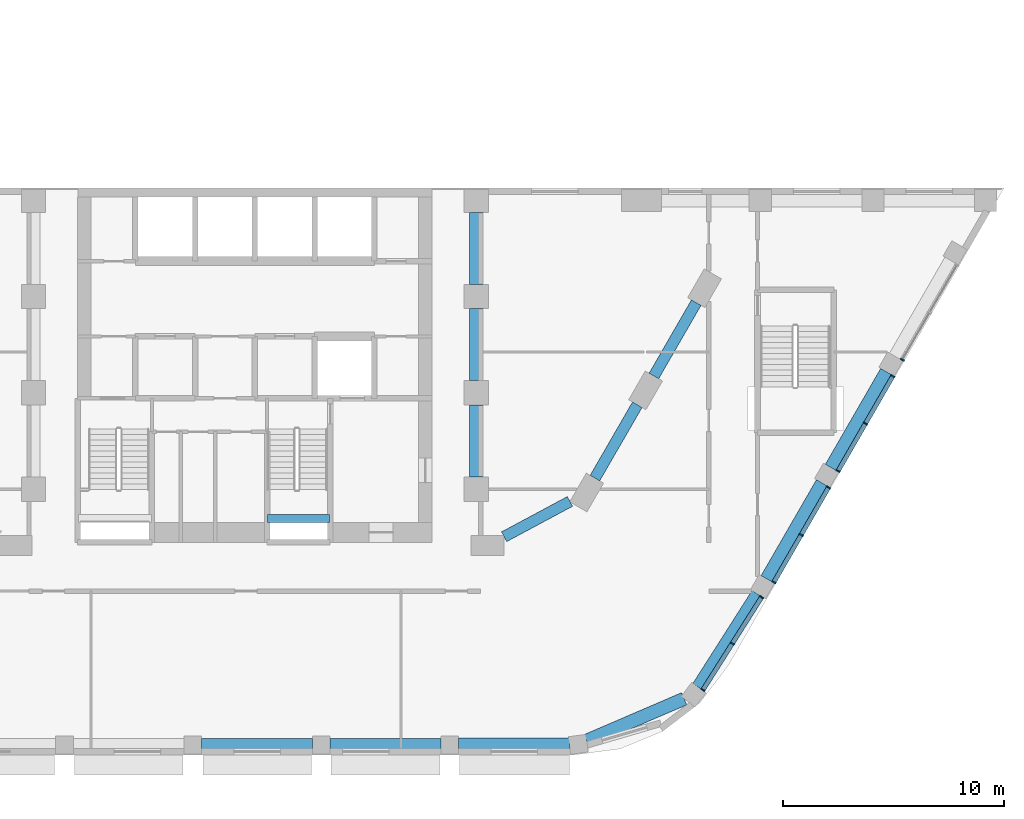
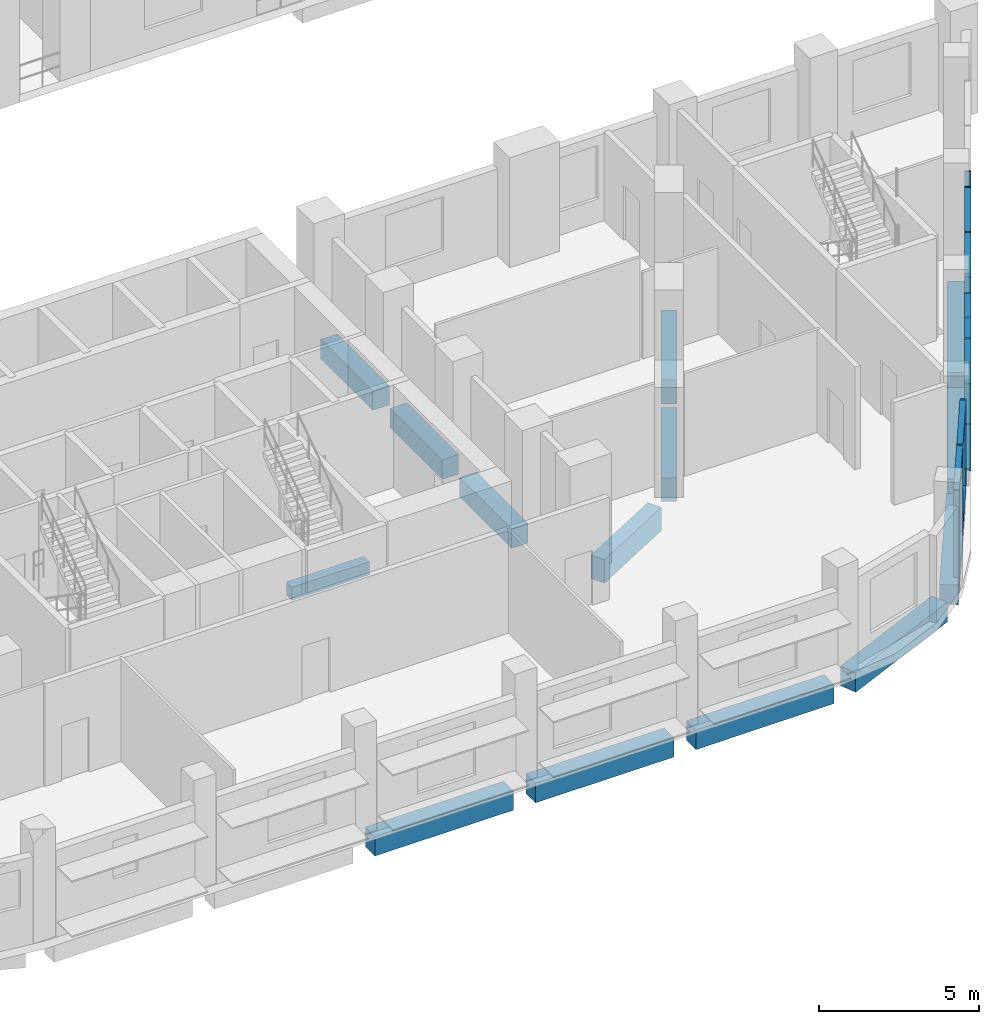
# One storey, part 3 of 22: 22 members, 14 beams, 4 elements without a shape of their own.
"""IFC4 building model written with IfcOpenShell, lengths in metres."""

from ifc_helpers import new_model, si_unit, direction, frame, origin, origin_2d, place, context, subcontext, project, spatial, rectangle, extrude, material, layer, layer_set, material_profile, profile_set, type_object, element, aggregate, save


model = new_model("IFC4")

# Units and contexts
model_context = context("Model", 3, precision=1e-05, world=origin(), true_north=direction((0.0, 1.0)))
body_context = subcontext(model_context, "Body", "Model", "MODEL_VIEW")
ifc_project = project(units=[si_unit("LENGTHUNIT", "METRE"), si_unit("AREAUNIT", "SQUARE_METRE"), si_unit("VOLUMEUNIT", "CUBIC_METRE"), si_unit("PLANEANGLEUNIT", "RADIAN"), si_unit("MASSUNIT", "GRAM", prefix="KILO")], contexts=[model_context])

# Site, building, storey
site_placement = place(None, origin())
site = spatial("IfcSite", under=ifc_project, at=site_placement, CompositionType="ELEMENT")
building_placement = place(site_placement, origin())
building = spatial("IfcBuilding", under=site, at=building_placement, Name="Nakaniwa Court", CompositionType="ELEMENT")
storey_placement = place(building_placement, frame((0.0, 0.0, 24.0)))
storey = spatial("IfcBuildingStorey", under=building, at=storey_placement, Name="L05", CompositionType="ELEMENT", Elevation=24.0)

# Beams
ifc_material_1 = material(Name="Concrete C100/115", Category="concrete")
ifc_material_profile_1 = material_profile(ifc_material_1, rectangle(XDim=0.5, YDim=0.89990234375, at=origin_2d()), Name="Concrete C100/115 RC 500x900 spandrel beam")
ifc_profile_set_1 = profile_set([ifc_material_profile_1], Name="Concrete C100/115")
beam_type_1 = type_object("IfcBeamType", Name="Concrete C100/115 RC 500x900 spandrel beam", PredefinedType="BEAM", material=ifc_profile_set_1)
beam_1_placement = place(storey_placement, frame((91.257080078125, 56.852294921875, -0.75), z_axis=(0.881234537383, 0.472679267711, 0.0), x_axis=(-0.472679267711, 0.881234537383, 0.0)))
element("IfcBeam", 1, at=beam_1_placement, inside=storey, type_object=beam_type_1, Name="SPANDREL BEAM", PredefinedType="BEAM", context=body_context, shape_type="SweptSolid", body=[
    extrude(rectangle(XDim=0.5, YDim=0.89990234375, at=origin_2d()), origin(), (0.0, 0.0, 1.0), 3.373291015625),
])
beam_2_placement = place(storey_placement, frame((95.357421875, 59.5, -0.75), z_axis=(0.500009674092, 0.866019818373, 0.0), x_axis=(-0.866019818373, 0.500009674092, 0.0)))
element("IfcBeam", 2, at=beam_2_placement, inside=storey, type_object=beam_type_1, Name="SPANDREL BEAM", PredefinedType="BEAM", context=body_context, shape_type="SweptSolid", body=[
    extrude(rectangle(XDim=0.5, YDim=0.89990234375, at=origin_2d()), origin(), (0.0, 0.0, 1.0), 3.826171875),
])
beam_3_placement = place(storey_placement, frame((98.0205078125, 64.1123046875, -0.75), z_axis=(0.499961815444, 0.866047448526, 0.0), x_axis=(-0.866047448526, 0.499961815444, 0.0)))
element("IfcBeam", 3, at=beam_3_placement, inside=storey, type_object=beam_type_1, Name="SPANDREL BEAM", PredefinedType="BEAM", context=body_context, shape_type="SweptSolid", body=[
    extrude(rectangle(XDim=0.5, YDim=0.89990234375, at=origin_2d()), origin(), (0.0, 0.0, 1.0), 3.825927734375),
])
ifc_material_profile_2 = material_profile(ifc_material_1, rectangle(XDim=0.60009765625, YDim=0.75, at=origin_2d()), Name="Concrete C100/115 RC 600x750 ring beam")
ifc_profile_set_2 = profile_set([ifc_material_profile_2], Name="Concrete C100/115")
beam_type_2 = type_object("IfcBeamType", Name="Concrete C100/115 RC 600x750 ring beam", PredefinedType="BEAM", material=ifc_profile_set_2)
for number, where, z_axis, x_axis, name in (
    (4, (90.0, 59.550048828125, -0.675048828125), (0.0, 1.0, 0.0), (-1.0, 0.0, 0.0), "RING BEAM"),
    (5, (90.0, 63.89990234375, -0.675048828125), (0.0, 1.0, 0.0), (-1.0, 0.0, 0.0), "RING BEAM"),
    (6, (90.0, 68.25, -0.675048828125), (0.0, 1.0, 0.0), (-1.0, 0.0, 0.0), "RING BEAM"),
):
    element("IfcBeam", number, at=place(storey_placement, frame(where, z_axis=z_axis, x_axis=x_axis)), inside=storey, type_object=beam_type_2, Name=name, PredefinedType="BEAM", context=body_context, shape_type="SweptSolid", body=[
        extrude(rectangle(XDim=0.60009765625, YDim=0.75, at=origin_2d()), origin(), (0.0, 0.0, 1.0), 3.25),
    ])
for number, where, z_axis, x_axis, name in (
    (7, (77.600341796875, 47.449951171875, -0.675048828125), (1.0, 0.0, 0.0), (0.0, 1.0, 0.0), "RING BEAM"),
    (8, (83.402587890625, 47.449951171875, -0.675048828125), (1.0, 0.0, 0.0), (0.0, 1.0, 0.0), "RING BEAM"),
):
    element("IfcBeam", number, at=place(storey_placement, frame(where, z_axis=z_axis, x_axis=x_axis)), inside=storey, type_object=beam_type_2, Name=name, PredefinedType="BEAM", context=body_context, shape_type="SweptSolid", body=[
        extrude(rectangle(XDim=0.60009765625, YDim=0.75, at=origin_2d()), origin(), (0.0, 0.0, 1.0), 5.002197265625),
    ])
beam_4_placement = place(storey_placement, frame((89.204833984375, 47.451904296875, -0.675048828125), z_axis=(0.999989678664, 0.004543409063, 0.0), x_axis=(-0.004543409063, 0.999989678664, 0.0)))
element("IfcBeam", 9, at=beam_4_placement, inside=storey, type_object=beam_type_2, Name="RING BEAM", PredefinedType="BEAM", context=body_context, shape_type="SweptSolid", body=[
    extrude(rectangle(XDim=0.60009765625, YDim=0.75, at=origin_2d()), origin(), (0.0, 0.0, 1.0), 4.997314453125),
])
beam_5_placement = place(storey_placement, frame((94.987060546875, 47.640869140625, -0.675048828125), z_axis=(0.918566909696, 0.395265521406, 0.0), x_axis=(-0.395265521406, 0.918566909696, 0.0)))
element("IfcBeam", 10, at=beam_5_placement, inside=storey, type_object=beam_type_2, Name="RING BEAM", PredefinedType="BEAM", context=body_context, shape_type="SweptSolid", body=[
    extrude(rectangle(XDim=0.60009765625, YDim=0.75, at=origin_2d()), origin(), (0.0, 0.0, 1.0), 4.791748046875),
])
beam_6_placement = place(storey_placement, frame((100.025390625, 50.0546875, -0.675048828125), z_axis=(0.537280707884, 0.843403486438, 0.0), x_axis=(-0.843403486438, 0.537280707884, 0.0)))
element("IfcBeam", 11, at=beam_6_placement, inside=storey, type_object=beam_type_2, Name="RING BEAM", PredefinedType="BEAM", context=body_context, shape_type="SweptSolid", body=[
    extrude(rectangle(XDim=0.60009765625, YDim=0.75, at=origin_2d()), origin(), (0.0, 0.0, 1.0), 4.9892578125),
])
for number, where, z_axis, x_axis, name in (
    (12, (103.12109375, 54.94677734375, -0.675048828125), (0.499997052475, 0.866027105532, 0.0), (-0.866027105532, 0.499997052475, 0.0), "RING BEAM"),
    (13, (106.022216796875, 59.9716796875, -0.675048828125), (0.499960447986, 0.866048237946, 0.0), (-0.866048237946, 0.499960447986, 0.0), "RING BEAM"),
):
    element("IfcBeam", number, at=place(storey_placement, frame(where, z_axis=z_axis, x_axis=x_axis)), inside=storey, type_object=beam_type_2, Name=name, PredefinedType="BEAM", context=body_context, shape_type="SweptSolid", body=[
        extrude(rectangle(XDim=0.60009765625, YDim=0.75, at=origin_2d()), origin(), (0.0, 0.0, 1.0), 5.00244140625),
    ])
ifc_material_2 = material(Name="Concrete C80/100", Category="concrete")
ifc_material_profile_3 = material_profile(ifc_material_2, rectangle(XDim=0.35009765625, YDim=0.5, at=origin_2d()), Name="Concrete C80/100 RC 350x500 landing ledge beam")
ifc_profile_set_3 = profile_set([ifc_material_profile_3], Name="Concrete C80/100")
beam_type_3 = type_object("IfcBeamType", Name="Concrete C80/100 RC 350x500 landing ledge beam", PredefinedType="BEAM", material=ifc_profile_set_3)
beam_7_placement = place(storey_placement, frame((80.574951171875, 57.675048828125, 1.64990234375), z_axis=(1.0, 0.0, 0.0), x_axis=(0.0, 1.0, 0.0)))
element("IfcBeam", 14, at=beam_7_placement, inside=storey, type_object=beam_type_3, Name="LANDING LEDGE BEAM", PredefinedType="BEAM", context=body_context, shape_type="SweptSolid", body=[
    extrude(rectangle(XDim=0.35009765625, YDim=0.5, at=origin_2d()), origin(), (0.0, 0.0, 1.0), 2.800048828125),
])

# Curtain wall, members
ifc_material_3 = material(Name="Black anodised aluminium frame with dark low-E laminated double glazing", Category="aluminium")
ifc_layer = layer(ifc_material_3, 0.199951171875)
ifc_layer_set = layer_set([ifc_layer], Name="Black anodised aluminium frame with dark low-E laminated double glazing")
curtain_wall_type = type_object("IfcCurtainWallType", Name="Podium unitised curtain wall", PredefinedType="NOTDEFINED", material=ifc_layer_set)
curtain_wall_1_placement = place(storey_placement, origin())
curtain_wall_1 = element("IfcCurtainWall", 15, at=curtain_wall_1_placement, inside=storey, type_object=curtain_wall_type, Name="L05 curtain wall CW1 00", PredefinedType="NOTDEFINED")
ifc_material_4 = material(Name="Black anodised aluminium extrusion", Category="aluminium")
ifc_material_profile_4 = material_profile(ifc_material_4, rectangle(XDim=0.199951171875, YDim=0.06494140625, at=origin_2d()), Name="Podium unitised curtain wall mullion 65x200")
ifc_profile_set_4 = profile_set([ifc_material_profile_4], Name="Black anodised aluminium extrusion")
member_type_1 = type_object("IfcMemberType", Name="Podium unitised curtain wall mullion 65x200", PredefinedType="MULLION", material=ifc_profile_set_4)
member_1_placement = place(storey_placement, frame((103.4384765625, 54.79638671875, 0.0), z_axis=(0.0, 0.0, 1.0), x_axis=(-0.866037354758, 0.499979299736, 0.0)))
member_1 = element("IfcMember", 16, at=member_1_placement, type_object=member_type_1, Name="CW1 mullion 1", PredefinedType="MULLION", context=body_context, shape_type="SweptSolid", body=[
    extrude(rectangle(XDim=0.199951171875, YDim=0.06494140625, at=origin_2d()), origin(), (0.0, 0.0, 1.0), 3.324951171875),
])
member_2_placement = place(storey_placement, frame((104.6748046875, 56.93798828125, 0.0), z_axis=(0.0, 0.0, 1.0), x_axis=(-0.866037354758, 0.499979299736, 0.0)))
member_2 = element("IfcMember", 17, at=member_2_placement, type_object=member_type_1, Name="CW1 mullion 2", PredefinedType="MULLION", context=body_context, shape_type="SweptSolid", body=[
    extrude(rectangle(XDim=0.199951171875, YDim=0.06494140625, at=origin_2d()), origin(), (0.0, 0.0, 1.0), 3.324951171875),
])
member_3_placement = place(storey_placement, frame((105.9111328125, 59.079345703125, 0.0), z_axis=(0.0, 0.0, 1.0), x_axis=(-0.866037354758, 0.499979299736, 0.0)))
member_3 = element("IfcMember", 18, at=member_3_placement, type_object=member_type_1, Name="CW1 mullion 3", PredefinedType="MULLION", context=body_context, shape_type="SweptSolid", body=[
    extrude(rectangle(XDim=0.199951171875, YDim=0.06494140625, at=origin_2d()), origin(), (0.0, 0.0, 1.0), 3.324951171875),
])

curtain_wall_2_placement = place(storey_placement, origin())
curtain_wall_2 = element("IfcCurtainWall", 19, at=curtain_wall_2_placement, inside=storey, type_object=curtain_wall_type, Name="L05 curtain wall CW1 01", PredefinedType="NOTDEFINED")
member_4_placement = place(storey_placement, frame((106.339599609375, 59.821533203125, 0.0), z_axis=(0.0, 0.0, 1.0), x_axis=(-0.866032365426, 0.499987941889, 0.0)))
member_4 = element("IfcMember", 20, at=member_4_placement, type_object=member_type_1, Name="CW1 mullion 1", PredefinedType="MULLION", context=body_context, shape_type="SweptSolid", body=[
    extrude(rectangle(XDim=0.199951171875, YDim=0.06494140625, at=origin_2d()), origin(), (0.0, 0.0, 1.0), 3.324951171875),
])
member_5_placement = place(storey_placement, frame((107.575927734375, 61.962890625, 0.0), z_axis=(0.0, 0.0, 1.0), x_axis=(-0.866032365426, 0.499987941889, 0.0)))
member_5 = element("IfcMember", 21, at=member_5_placement, type_object=member_type_1, Name="CW1 mullion 2", PredefinedType="MULLION", context=body_context, shape_type="SweptSolid", body=[
    extrude(rectangle(XDim=0.199951171875, YDim=0.06494140625, at=origin_2d()), origin(), (0.0, 0.0, 1.0), 3.324951171875),
])
member_6_placement = place(storey_placement, frame((108.812255859375, 64.104248046875, 0.0), z_axis=(0.0, 0.0, 1.0), x_axis=(-0.866032365426, 0.499987941889, 0.0)))
member_6 = element("IfcMember", 22, at=member_6_placement, type_object=member_type_1, Name="CW1 mullion 3", PredefinedType="MULLION", context=body_context, shape_type="SweptSolid", body=[
    extrude(rectangle(XDim=0.199951171875, YDim=0.06494140625, at=origin_2d()), origin(), (0.0, 0.0, 1.0), 3.324951171875),
])

# Curtain wall, member
curtain_wall_3_placement = place(storey_placement, origin())
curtain_wall_3 = element("IfcCurtainWall", 23, at=curtain_wall_3_placement, inside=storey, type_object=curtain_wall_type, Name="L05 curtain wall CW1 02", PredefinedType="NOTDEFINED")
member_7_placement = place(storey_placement, frame((109.24072265625, 64.846435546875, 0.0), z_axis=(0.0, 0.0, 1.0), x_axis=(-0.866023723106, 0.500002911009, 0.0)))
member_7 = element("IfcMember", 24, at=member_7_placement, type_object=member_type_1, Name="CW1 mullion 1", PredefinedType="MULLION", context=body_context, shape_type="SweptSolid", body=[
    extrude(rectangle(XDim=0.199951171875, YDim=0.06494140625, at=origin_2d()), origin(), (0.0, 0.0, 1.0), 3.324951171875),
])
aggregate(curtain_wall_3, [member_7])

# Curtain wall, members
curtain_wall_4_placement = place(storey_placement, origin())
curtain_wall_4 = element("IfcCurtainWall", 25, at=curtain_wall_4_placement, inside=storey, type_object=curtain_wall_type, Name="L05 curtain wall CW1 26", PredefinedType="NOTDEFINED")
member_8_placement = place(storey_placement, frame((100.235595703125, 49.93505859375, 0.0), z_axis=(0.0, 0.0, 1.0), x_axis=(-0.845107295343, 0.534596725914, 0.0)))
member_8 = element("IfcMember", 26, at=member_8_placement, type_object=member_type_1, Name="CW1 mullion 1", PredefinedType="MULLION", context=body_context, shape_type="SweptSolid", body=[
    extrude(rectangle(XDim=0.199951171875, YDim=0.06494140625, at=origin_2d()), origin(), (0.0, 0.0, 1.0), 3.324951171875),
])
member_9_placement = place(storey_placement, frame((101.560546875, 52.029541015625, 0.0), z_axis=(0.0, 0.0, 1.0), x_axis=(-0.845107295343, 0.534596725914, 0.0)))
member_9 = element("IfcMember", 27, at=member_9_placement, type_object=member_type_1, Name="CW1 mullion 2", PredefinedType="MULLION", context=body_context, shape_type="SweptSolid", body=[
    extrude(rectangle(XDim=0.199951171875, YDim=0.06494140625, at=origin_2d()), origin(), (0.0, 0.0, 1.0), 3.324951171875),
])
member_10_placement = place(storey_placement, frame((102.885498046875, 54.1240234375, 0.0), z_axis=(0.0, 0.0, 1.0), x_axis=(-0.845107295343, 0.534596725914, 0.0)))
member_10 = element("IfcMember", 28, at=member_10_placement, type_object=member_type_1, Name="CW1 mullion 3", PredefinedType="MULLION", context=body_context, shape_type="SweptSolid", body=[
    extrude(rectangle(XDim=0.199951171875, YDim=0.06494140625, at=origin_2d()), origin(), (0.0, 0.0, 1.0), 3.324951171875),
])

# Member
ifc_material_profile_5 = material_profile(ifc_material_4, rectangle(XDim=0.199951171875, YDim=0.050048828125, at=origin_2d()), Name="Podium unitised curtain wall transom 50x200")
ifc_profile_set_5 = profile_set([ifc_material_profile_5], Name="Black anodised aluminium extrusion")
member_type_2 = type_object("IfcMemberType", Name="Podium unitised curtain wall transom 50x200", PredefinedType="USERDEFINED", material=ifc_profile_set_5)
member_11_placement = place(storey_placement, frame((103.45458984375, 54.82470703125, 0.02490234375), z_axis=(0.50003260427, 0.866006578882, 0.0), x_axis=(-0.866006578882, 0.50003260427, 0.0)))
member_11 = element("IfcMember", 29, at=member_11_placement, type_object=member_type_2, Name="CW1 transom 1.1", ObjectType="TRANSOM", PredefinedType="USERDEFINED", context=body_context, shape_type="SweptSolid", body=[
    extrude(rectangle(XDim=0.199951171875, YDim=0.050048828125, at=origin_2d()), origin(), (0.0, 0.0, 1.0), 2.407470703125),
])

member_12_placement = place(storey_placement, frame((103.45458984375, 54.82470703125, 3.300048828125), z_axis=(0.50003260427, 0.866006578882, 0.0), x_axis=(-0.866006578882, 0.50003260427, 0.0)))
member_12 = element("IfcMember", 30, at=member_12_placement, type_object=member_type_2, Name="CW1 transom 1.2", ObjectType="TRANSOM", PredefinedType="USERDEFINED", context=body_context, shape_type="SweptSolid", body=[
    extrude(rectangle(XDim=0.199951171875, YDim=0.050048828125, at=origin_2d()), origin(), (0.0, 0.0, 1.0), 2.407470703125),
])

member_13_placement = place(storey_placement, frame((104.69091796875, 56.966064453125, 0.02490234375), z_axis=(0.499988695522, 0.866031930329, 0.0), x_axis=(-0.866031930329, 0.499988695522, 0.0)))
member_13 = element("IfcMember", 31, at=member_13_placement, type_object=member_type_2, Name="CW1 transom 2.1", ObjectType="TRANSOM", PredefinedType="USERDEFINED", context=body_context, shape_type="SweptSolid", body=[
    extrude(rectangle(XDim=0.199951171875, YDim=0.050048828125, at=origin_2d()), origin(), (0.0, 0.0, 1.0), 2.40771484375),
])

member_14_placement = place(storey_placement, frame((104.69091796875, 56.966064453125, 3.300048828125), z_axis=(0.499988695522, 0.866031930329, 0.0), x_axis=(-0.866031930329, 0.499988695522, 0.0)))
member_14 = element("IfcMember", 32, at=member_14_placement, type_object=member_type_2, Name="CW1 transom 2.2", ObjectType="TRANSOM", PredefinedType="USERDEFINED", context=body_context, shape_type="SweptSolid", body=[
    extrude(rectangle(XDim=0.199951171875, YDim=0.050048828125, at=origin_2d()), origin(), (0.0, 0.0, 1.0), 2.40771484375),
])

aggregate(curtain_wall_1, [member_1, member_2, member_3, member_11, member_12, member_13, member_14])

member_15_placement = place(storey_placement, frame((106.355712890625, 59.849609375, 0.02490234375), z_axis=(0.499988695522, 0.866031930329, 0.0), x_axis=(-0.866031930329, 0.499988695522, 0.0)))
member_15 = element("IfcMember", 33, at=member_15_placement, type_object=member_type_2, Name="CW1 transom 1.1", ObjectType="TRANSOM", PredefinedType="USERDEFINED", context=body_context, shape_type="SweptSolid", body=[
    extrude(rectangle(XDim=0.199951171875, YDim=0.050048828125, at=origin_2d()), origin(), (0.0, 0.0, 1.0), 2.40771484375),
])

member_16_placement = place(storey_placement, frame((106.355712890625, 59.849609375, 3.300048828125), z_axis=(0.499988695522, 0.866031930329, 0.0), x_axis=(-0.866031930329, 0.499988695522, 0.0)))
member_16 = element("IfcMember", 34, at=member_16_placement, type_object=member_type_2, Name="CW1 transom 1.2", ObjectType="TRANSOM", PredefinedType="USERDEFINED", context=body_context, shape_type="SweptSolid", body=[
    extrude(rectangle(XDim=0.199951171875, YDim=0.050048828125, at=origin_2d()), origin(), (0.0, 0.0, 1.0), 2.40771484375),
])

member_17_placement = place(storey_placement, frame((107.592041015625, 61.990966796875, 0.02490234375), z_axis=(0.499988695522, 0.866031930329, 0.0), x_axis=(-0.866031930329, 0.499988695522, 0.0)))
member_17 = element("IfcMember", 35, at=member_17_placement, type_object=member_type_2, Name="CW1 transom 2.1", ObjectType="TRANSOM", PredefinedType="USERDEFINED", context=body_context, shape_type="SweptSolid", body=[
    extrude(rectangle(XDim=0.199951171875, YDim=0.050048828125, at=origin_2d()), origin(), (0.0, 0.0, 1.0), 2.40771484375),
])

member_18_placement = place(storey_placement, frame((107.592041015625, 61.990966796875, 3.300048828125), z_axis=(0.499988695522, 0.866031930329, 0.0), x_axis=(-0.866031930329, 0.499988695522, 0.0)))
member_18 = element("IfcMember", 36, at=member_18_placement, type_object=member_type_2, Name="CW1 transom 2.2", ObjectType="TRANSOM", PredefinedType="USERDEFINED", context=body_context, shape_type="SweptSolid", body=[
    extrude(rectangle(XDim=0.199951171875, YDim=0.050048828125, at=origin_2d()), origin(), (0.0, 0.0, 1.0), 2.40771484375),
])

aggregate(curtain_wall_2, [member_4, member_5, member_6, member_15, member_16, member_17, member_18])

member_19_placement = place(storey_placement, frame((100.2529296875, 49.96240234375, 0.02490234375), z_axis=(0.534628443241, 0.84508723081, 0.0), x_axis=(-0.84508723081, 0.534628443241, 0.0)))
member_19 = element("IfcMember", 37, at=member_19_placement, type_object=member_type_2, Name="CW1 transom 1.1", ObjectType="TRANSOM", PredefinedType="USERDEFINED", context=body_context, shape_type="SweptSolid", body=[
    extrude(rectangle(XDim=0.199951171875, YDim=0.050048828125, at=origin_2d()), origin(), (0.0, 0.0, 1.0), 2.413330078125),
])

member_20_placement = place(storey_placement, frame((100.2529296875, 49.96240234375, 3.300048828125), z_axis=(0.534628443241, 0.84508723081, 0.0), x_axis=(-0.84508723081, 0.534628443241, 0.0)))
member_20 = element("IfcMember", 38, at=member_20_placement, type_object=member_type_2, Name="CW1 transom 1.2", ObjectType="TRANSOM", PredefinedType="USERDEFINED", context=body_context, shape_type="SweptSolid", body=[
    extrude(rectangle(XDim=0.199951171875, YDim=0.050048828125, at=origin_2d()), origin(), (0.0, 0.0, 1.0), 2.413330078125),
])

member_21_placement = place(storey_placement, frame((101.577880859375, 52.056884765625, 0.02490234375), z_axis=(0.534628443241, 0.84508723081, 0.0), x_axis=(-0.84508723081, 0.534628443241, 0.0)))
member_21 = element("IfcMember", 39, at=member_21_placement, type_object=member_type_2, Name="CW1 transom 2.1", ObjectType="TRANSOM", PredefinedType="USERDEFINED", context=body_context, shape_type="SweptSolid", body=[
    extrude(rectangle(XDim=0.199951171875, YDim=0.050048828125, at=origin_2d()), origin(), (0.0, 0.0, 1.0), 2.413330078125),
])

member_22_placement = place(storey_placement, frame((101.577880859375, 52.056884765625, 3.300048828125), z_axis=(0.534628443241, 0.84508723081, 0.0), x_axis=(-0.84508723081, 0.534628443241, 0.0)))
member_22 = element("IfcMember", 40, at=member_22_placement, type_object=member_type_2, Name="CW1 transom 2.2", ObjectType="TRANSOM", PredefinedType="USERDEFINED", context=body_context, shape_type="SweptSolid", body=[
    extrude(rectangle(XDim=0.199951171875, YDim=0.050048828125, at=origin_2d()), origin(), (0.0, 0.0, 1.0), 2.413330078125),
])

aggregate(curtain_wall_4, [member_8, member_9, member_10, member_19, member_20, member_21, member_22])

save(model, "model.ifc")
